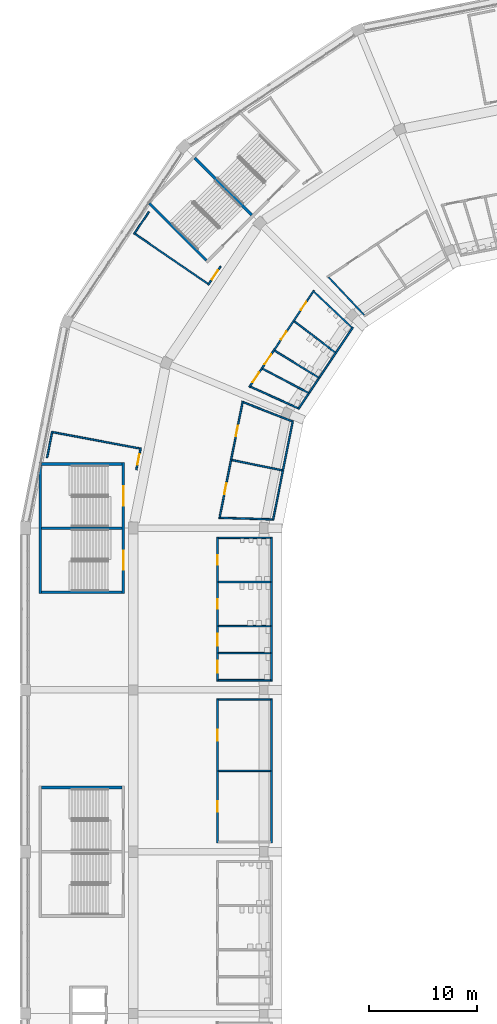
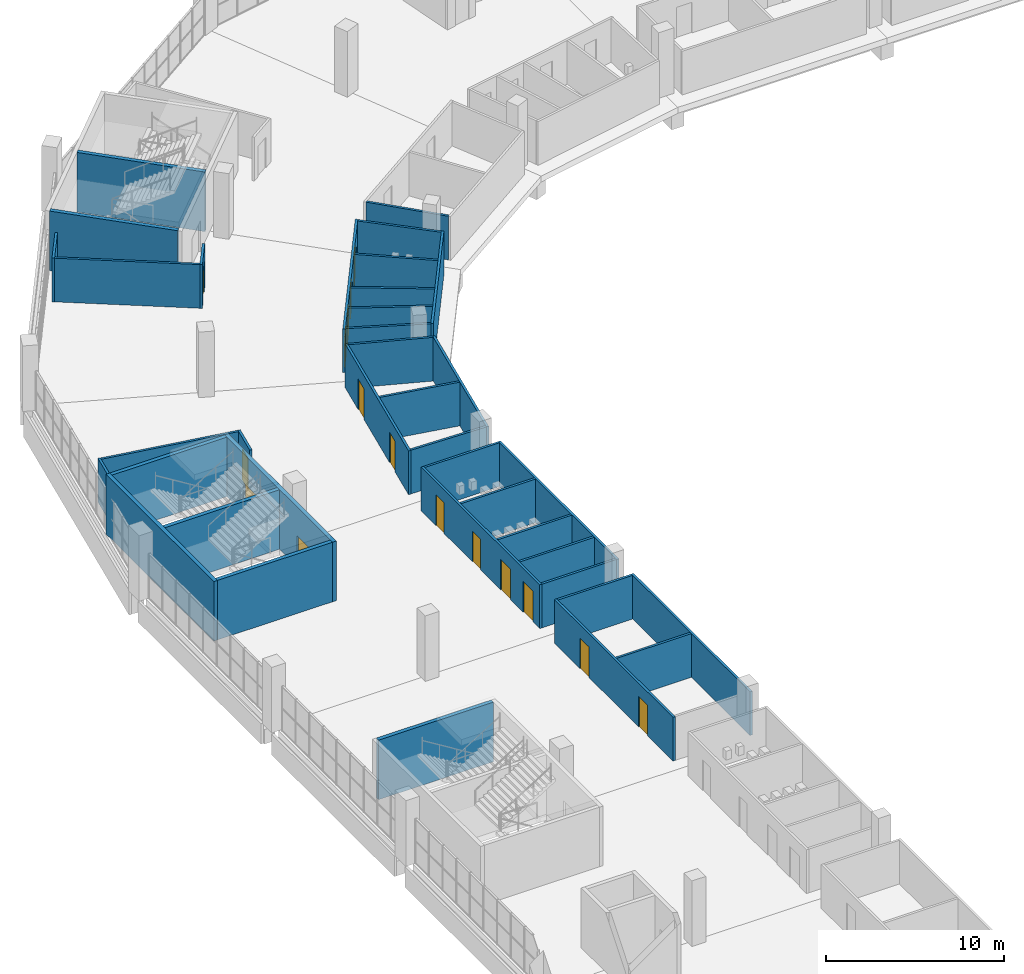
# One storey, part 84 of 199: 38 walls, 16 doors, 16 openings.
"""IFC4 building model written with IfcOpenShell, lengths in metres."""

from ifc_helpers import new_model, si_unit, direction, frame, frame_2d, origin, place, context, subcontext, project, spatial, rectangle, extrude, material, layer, layer_set, type_object, element, fill, save


model = new_model("IFC4")

# Units and contexts
model_context = context("Model", 3, precision=1e-05, world=origin(), true_north=direction((0.0, 1.0)))
body_context = subcontext(model_context, "Body", "Model", "MODEL_VIEW")
ifc_project = project(units=[si_unit("LENGTHUNIT", "METRE"), si_unit("AREAUNIT", "SQUARE_METRE"), si_unit("VOLUMEUNIT", "CUBIC_METRE"), si_unit("PLANEANGLEUNIT", "RADIAN"), si_unit("MASSUNIT", "GRAM", prefix="KILO")], contexts=[model_context])

# Site, building, storey
site_placement = place(None, origin())
site = spatial("IfcSite", under=ifc_project, at=site_placement, CompositionType="ELEMENT")
building_placement = place(site_placement, origin())
building = spatial("IfcBuilding", under=site, at=building_placement, Name="Ogive Plaza Stadium", CompositionType="ELEMENT")
storey_placement = place(building_placement, frame((0.0, 0.0, 4.5)))
storey = spatial("IfcBuildingStorey", under=building, at=storey_placement, Name="L01", CompositionType="ELEMENT", Elevation=4.5)

# Wall
ifc_material_1 = material(Name="Masonry blockwork", Category="masonry")
ifc_layer_1 = layer(ifc_material_1, 0.14990234375)
ifc_layer_set_1 = layer_set([ifc_layer_1], Name="Blockwork wall 150")
wall_type_1 = type_object("IfcWallType", Name="Blockwork wall 150", PredefinedType="SOLIDWALL", material=ifc_layer_set_1)
wall_1_placement = place(storey_placement, frame((-61.199951171875, 23.324951171875, 0.0), z_axis=(0.0, 0.0, 1.0), x_axis=(0.0, 1.0, 0.0)))
element("IfcWall", 1, at=wall_1_placement, inside=storey, type_object=wall_type_1, Name="Wall L01 B26", PredefinedType="SOLIDWALL", context=body_context, shape_type="SweptSolid", body=[
    extrude(rectangle(XDim=13.35009765625, YDim=0.14990234375, at=frame_2d((6.675048828125, 0.0))), origin(), (0.0, 0.0, 1.0), 3.0),
])

# Wall, openings, doors
wall_2_placement = place(storey_placement, frame((-66.199951171875, 23.324951171875, 0.0), z_axis=(0.0, 0.0, 1.0), x_axis=(0.0, 1.0, 0.0)))
wall_2 = element("IfcWall", 2, at=wall_2_placement, inside=storey, type_object=wall_type_1, Name="Wall L01 B26", PredefinedType="SOLIDWALL", context=body_context, shape_type="SweptSolid", body=[
    extrude(rectangle(XDim=13.35009765625, YDim=0.14990234375, at=frame_2d((6.675048828125, 0.0))), origin(), (0.0, 0.0, 1.0), 3.0),
])
opening_1_placement = place(wall_2_placement, frame((2.875, 0.0, 0.0)))
opening_1 = element("IfcOpeningElement", 3, at=opening_1_placement, cuts=wall_2, Name="Opening D0553", PredefinedType="OPENING", context=body_context, shape_type="SweptSolid", body=[
    extrude(rectangle(XDim=1.0, YDim=2.10009765625, at=frame_2d((0.5, 1.050048828125))), frame((0.0, 0.074951171875, 0.0), z_axis=(0.0, -1.0, 0.0), x_axis=(1.0, 0.0, 0.0)), (0.0, 0.0, 1.0), 0.14990234375),
])
opening_2_placement = place(wall_2_placement, frame((9.47509765625, 0.0, 0.0)))
opening_2 = element("IfcOpeningElement", 4, at=opening_2_placement, cuts=wall_2, Name="Opening D0554", PredefinedType="OPENING", context=body_context, shape_type="SweptSolid", body=[
    extrude(rectangle(XDim=1.0, YDim=2.10009765625, at=frame_2d((0.5, 1.050048828125))), frame((0.0, 0.074951171875, 0.0), z_axis=(0.0, -1.0, 0.0), x_axis=(1.0, 0.0, 0.0)), (0.0, 0.0, 1.0), 0.14990234375),
])
ifc_material_2 = material(Name="Steel ASTM A572 Grade 50", Category="steel")
door_type_1 = type_object("IfcDoorType", Name="Door 1000 x 2100", OperationType="SINGLE_SWING_LEFT", PredefinedType="DOOR", material=ifc_material_2)
door_1_placement = place(opening_1_placement, origin())
door_1 = element("IfcDoor", 5, at=door_1_placement, inside=storey, type_object=door_type_1, Name="Club Bar B26 door", OperationType="SINGLE_SWING_RIGHT", OverallHeight=2.10009765625, OverallWidth=1.0, PredefinedType="DOOR", context=body_context, shape_type="SweptSolid", body=[
    extrude(rectangle(XDim=1.0, YDim=2.10009765625, at=frame_2d((0.5, 1.050048828125))), frame((0.0, 0.02490234375, 0.0), z_axis=(0.0, -1.0, 0.0), x_axis=(1.0, 0.0, 0.0)), (0.0, 0.0, 1.0), 0.050048828125),
])
fill(opening_1, door_1)
ifc_material_3 = material(Name="Steel ASTM A572 Grade 50", Category="steel")
door_type_2 = type_object("IfcDoorType", Name="Fire door FD60 1000 x 2100", OperationType="SINGLE_SWING_LEFT", PredefinedType="DOOR", material=ifc_material_3)
door_2_placement = place(opening_2_placement, origin())
door_2 = element("IfcDoor", 6, at=door_2_placement, inside=storey, type_object=door_type_2, Name="Club Kitchen B26 door", OperationType="SINGLE_SWING_LEFT", OverallHeight=2.10009765625, OverallWidth=1.0, PredefinedType="DOOR", context=body_context, shape_type="SweptSolid", body=[
    extrude(rectangle(XDim=1.0, YDim=2.10009765625, at=frame_2d((0.5, 1.050048828125))), frame((0.0, 0.02490234375, 0.0), z_axis=(0.0, -1.0, 0.0), x_axis=(1.0, 0.0, 0.0)), (0.0, 0.0, 1.0), 0.050048828125),
])
fill(opening_2, door_2)

# Walls
for number, where, z_axis, x_axis, name in (
    (7, (-61.27490234375, 30.0, 0.0), (0.0, 0.0, 1.0), (-1.0, 0.0, 0.0), "Wall L01 B26"),
    (8, (-61.27490234375, 36.60009765625, 0.0), (0.0, 0.0, 1.0), (-1.0, 0.0, 0.0), "Wall L01 B26"),
):
    element("IfcWall", number, at=place(storey_placement, frame(where, z_axis=z_axis, x_axis=x_axis)), inside=storey, type_object=wall_type_1, Name=name, PredefinedType="SOLIDWALL", context=body_context, shape_type="SweptSolid", body=[
        extrude(rectangle(XDim=4.85009765625, YDim=0.14990234375, at=frame_2d((2.425048828125, 0.0))), origin(), (0.0, 0.0, 1.0), 3.0),
    ])
wall_3_placement = place(storey_placement, frame((-61.052490234375, 53.240966796875, 0.0), z_axis=(0.0, 0.0, 1.0), x_axis=(0.195075759432, 0.980788176969, 0.0)))
element("IfcWall", 9, at=wall_3_placement, inside=storey, type_object=wall_type_1, Name="Wall L01 B28", PredefinedType="SOLIDWALL", context=body_context, shape_type="SweptSolid", body=[
    extrude(rectangle(XDim=9.3876953125, YDim=0.14990234375, at=frame_2d((4.69384765625, 0.0))), origin(), (0.0, 0.0, 1.0), 3.0),
])

# Wall, openings, doors
wall_4_placement = place(storey_placement, frame((-66.025390625, 53.377197265625, 0.0), z_axis=(0.0, 0.0, 1.0), x_axis=(0.195076764682, 0.980787977027, 0.0)))
wall_4 = element("IfcWall", 10, at=wall_4_placement, inside=storey, type_object=wall_type_1, Name="Wall L01 B28", PredefinedType="SOLIDWALL", context=body_context, shape_type="SweptSolid", body=[
    extrude(rectangle(XDim=11.113525390625, YDim=0.14990234375, at=frame_2d((5.556640625, 0.0))), origin(), (0.0, 0.0, 1.0), 3.0),
])
opening_3_placement = place(wall_4_placement, frame((2.319091796875, 0.0, 0.0)))
opening_3 = element("IfcOpeningElement", 11, at=opening_3_placement, cuts=wall_4, Name="Opening D0559", PredefinedType="OPENING", context=body_context, shape_type="SweptSolid", body=[
    extrude(rectangle(XDim=1.0, YDim=2.10009765625, at=frame_2d((0.5, 1.050048828125))), frame((0.0, 0.074951171875, 0.0), z_axis=(0.0, -1.0, 0.0), x_axis=(1.0, 0.0, 0.0)), (0.0, 0.0, 1.0), 0.14990234375),
])
opening_4_placement = place(wall_4_placement, frame((7.79443359375, 0.0, 0.0)))
opening_4 = element("IfcOpeningElement", 12, at=opening_4_placement, cuts=wall_4, Name="Opening D0560", PredefinedType="OPENING", context=body_context, shape_type="SweptSolid", body=[
    extrude(rectangle(XDim=1.0, YDim=2.10009765625, at=frame_2d((0.5, 1.050048828125))), frame((0.0, 0.074951171875, 0.0), z_axis=(0.0, -1.0, 0.0), x_axis=(1.0, 0.0, 0.0)), (0.0, 0.0, 1.0), 0.14990234375),
])
door_3_placement = place(opening_3_placement, origin())
door_3 = element("IfcDoor", 13, at=door_3_placement, inside=storey, type_object=door_type_1, Name="Club Bar B28 door", OperationType="SINGLE_SWING_LEFT", OverallHeight=2.10009765625, OverallWidth=1.0, PredefinedType="DOOR", context=body_context, shape_type="SweptSolid", body=[
    extrude(rectangle(XDim=1.0, YDim=2.10009765625, at=frame_2d((0.5, 1.050048828125))), frame((0.0, 0.02490234375, 0.0), z_axis=(0.0, -1.0, 0.0), x_axis=(1.0, 0.0, 0.0)), (0.0, 0.0, 1.0), 0.050048828125),
])
fill(opening_3, door_3)
door_4_placement = place(opening_4_placement, origin())
door_4 = element("IfcDoor", 14, at=door_4_placement, inside=storey, type_object=door_type_2, Name="Club Kitchen B28 door", OperationType="SINGLE_SWING_RIGHT", OverallHeight=2.10009765625, OverallWidth=1.0, PredefinedType="DOOR", context=body_context, shape_type="SweptSolid", body=[
    extrude(rectangle(XDim=1.0, YDim=2.10009765625, at=frame_2d((0.5, 1.050048828125))), frame((0.0, 0.02490234375, 0.0), z_axis=(0.0, -1.0, 0.0), x_axis=(1.0, 0.0, 0.0)), (0.0, 0.0, 1.0), 0.050048828125),
])
fill(opening_4, door_4)

# Walls
wall_5_placement = place(storey_placement, frame((-61.11376953125, 53.310546875, 0.0), z_axis=(0.0, 0.0, 1.0), x_axis=(-0.999552485488, 0.02991368842, 0.0)))
element("IfcWall", 15, at=wall_5_placement, inside=storey, type_object=wall_type_1, Name="Wall L01 B28", PredefinedType="SOLIDWALL", context=body_context, shape_type="SweptSolid", body=[
    extrude(rectangle(XDim=4.823486328125, YDim=0.14990234375, at=frame_2d((2.41162109375, 0.0))), origin(), (0.0, 0.0, 1.0), 3.0),
])
wall_6_placement = place(storey_placement, frame((-60.208984375, 57.859375, 0.0), z_axis=(0.0, 0.0, 1.0), x_axis=(-0.979720657149, 0.200368245875, 0.0)))
element("IfcWall", 16, at=wall_6_placement, inside=storey, type_object=wall_type_1, Name="Wall L01 B28", PredefinedType="SOLIDWALL", context=body_context, shape_type="SweptSolid", body=[
    extrude(rectangle(XDim=4.7568359375, YDim=0.14990234375, at=frame_2d((2.37841796875, 0.0))), origin(), (0.0, 0.0, 1.0), 3.0),
])
wall_7_placement = place(storey_placement, frame((-59.30419921875, 62.408203125, 0.0), z_axis=(0.0, 0.0, 1.0), x_axis=(-0.931152553876, 0.364629841634, 0.0)))
element("IfcWall", 17, at=wall_7_placement, inside=storey, type_object=wall_type_1, Name="Wall L01 B28", PredefinedType="SOLIDWALL", context=body_context, shape_type="SweptSolid", body=[
    extrude(rectangle(XDim=4.832275390625, YDim=0.14990234375, at=frame_2d((2.416015625, 0.0))), origin(), (0.0, 0.0, 1.0), 3.0),
])

# Wall, opening, door
wall_8_placement = place(storey_placement, frame((-73.7265625, 57.896240234375, 0.0), z_axis=(0.0, 0.0, 1.0), x_axis=(0.195055250603, 0.980792255889, 0.0)))
wall_8 = element("IfcWall", 18, at=wall_8_placement, inside=storey, type_object=wall_type_1, Name="Wall L01 B28", PredefinedType="SOLIDWALL", context=body_context, shape_type="SweptSolid", body=[
    extrude(rectangle(XDim=2.080322265625, YDim=0.14990234375, at=frame_2d((1.0400390625, 0.0))), origin(), (0.0, 0.0, 1.0), 3.0),
])
opening_5_placement = place(wall_8_placement, frame((0.47216796875, 0.0, 0.0)))
opening_5 = element("IfcOpeningElement", 19, at=opening_5_placement, cuts=wall_8, Name="Opening D0561", PredefinedType="OPENING", context=body_context, shape_type="SweptSolid", body=[
    extrude(rectangle(XDim=1.0, YDim=2.10009765625, at=frame_2d((0.5, 1.050048828125))), frame((0.0, 0.074951171875, 0.0), z_axis=(0.0, -1.0, 0.0), x_axis=(1.0, 0.0, 0.0)), (0.0, 0.0, 1.0), 0.14990234375),
])
door_5_placement = place(opening_5_placement, origin())
door_5 = element("IfcDoor", 20, at=door_5_placement, inside=storey, type_object=door_type_2, Name="Cleaner's Store B28 door", OperationType="SINGLE_SWING_LEFT", OverallHeight=2.10009765625, OverallWidth=1.0, PredefinedType="DOOR", context=body_context, shape_type="SweptSolid", body=[
    extrude(rectangle(XDim=1.0, YDim=2.10009765625, at=frame_2d((0.5, 1.050048828125))), frame((0.0, 0.02490234375, 0.0), z_axis=(0.0, -1.0, 0.0), x_axis=(1.0, 0.0, 0.0)), (0.0, 0.0, 1.0), 0.050048828125),
])
fill(opening_5, door_5)

# Walls
wall_9_placement = place(storey_placement, frame((-82.0029296875, 59.020263671875, 0.0), z_axis=(0.0, 0.0, 1.0), x_axis=(0.195032666665, 0.980796747004, 0.0)))
element("IfcWall", 21, at=wall_9_placement, inside=storey, type_object=wall_type_1, Name="Wall L01 B28", PredefinedType="SOLIDWALL", context=body_context, shape_type="SweptSolid", body=[
    extrude(rectangle(XDim=2.513671875, YDim=0.14990234375, at=frame_2d((1.2568359375, 0.0))), origin(), (0.0, 0.0, 1.0), 3.0),
])
wall_10_placement = place(storey_placement, frame((-73.40625, 59.88330078125, 0.0), z_axis=(0.0, 0.0, 1.0), x_axis=(-0.982896138411, 0.184160747979, 0.0)))
element("IfcWall", 22, at=wall_10_placement, inside=storey, type_object=wall_type_1, Name="Wall L01 B28", PredefinedType="SOLIDWALL", context=body_context, shape_type="SweptSolid", body=[
    extrude(rectangle(XDim=8.190185546875, YDim=0.14990234375, at=frame_2d((4.09521484375, 0.0))), origin(), (0.0, 0.0, 1.0), 3.0),
])

# Wall, opening, door
wall_11_placement = place(storey_placement, frame((-65.90673828125, 76.775390625, 0.0), z_axis=(0.0, 0.0, 1.0), x_axis=(-0.555485387307, -0.831526298134, 0.0)))
wall_11 = element("IfcWall", 23, at=wall_11_placement, inside=storey, type_object=wall_type_1, Name="Wall L01 B29", PredefinedType="SOLIDWALL", context=body_context, shape_type="SweptSolid", body=[
    extrude(rectangle(XDim=2.080078125, YDim=0.14990234375, at=frame_2d((1.0400390625, 0.0))), origin(), (0.0, 0.0, 1.0), 3.0),
])
opening_6_placement = place(wall_11_placement, frame((0.47216796875, 0.0, 0.0)))
opening_6 = element("IfcOpeningElement", 24, at=opening_6_placement, cuts=wall_11, Name="Opening D0566", PredefinedType="OPENING", context=body_context, shape_type="SweptSolid", body=[
    extrude(rectangle(XDim=1.0, YDim=2.10009765625, at=frame_2d((0.5, 1.050048828125))), frame((0.0, 0.074951171875, 0.0), z_axis=(0.0, -1.0, 0.0), x_axis=(1.0, 0.0, 0.0)), (0.0, 0.0, 1.0), 0.14990234375),
])
door_6_placement = place(opening_6_placement, origin())
door_6 = element("IfcDoor", 25, at=door_6_placement, inside=storey, type_object=door_type_1, Name="Club Servery B29 door", OperationType="SINGLE_SWING_LEFT", OverallHeight=2.10009765625, OverallWidth=1.0, PredefinedType="DOOR", context=body_context, shape_type="SweptSolid", body=[
    extrude(rectangle(XDim=1.0, YDim=2.10009765625, at=frame_2d((0.5, 1.050048828125))), frame((0.0, 0.02490234375, 0.0), z_axis=(0.0, -1.0, 0.0), x_axis=(1.0, 0.0, 0.0)), (0.0, 0.0, 1.0), 0.050048828125),
])
fill(opening_6, door_6)

# Walls
wall_12_placement = place(storey_placement, frame((-72.553955078125, 81.832763671875, 0.0), z_axis=(0.0, 0.0, 1.0), x_axis=(-0.555551611961, -0.831482054195, 0.0)))
element("IfcWall", 26, at=wall_12_placement, inside=storey, type_object=wall_type_1, Name="Wall L01 B29", PredefinedType="SOLIDWALL", context=body_context, shape_type="SweptSolid", body=[
    extrude(rectangle(XDim=2.513671875, YDim=0.14990234375, at=frame_2d((1.2568359375, 0.0))), origin(), (0.0, 0.0, 1.0), 3.0),
])
wall_13_placement = place(storey_placement, frame((-67.08544921875, 75.143798828125, 0.0), z_axis=(0.0, 0.0, 1.0), x_axis=(-0.825237791444, 0.564785434986, 0.0)))
element("IfcWall", 27, at=wall_13_placement, inside=storey, type_object=wall_type_1, Name="Wall L01 B29", PredefinedType="SOLIDWALL", context=body_context, shape_type="SweptSolid", body=[
    extrude(rectangle(XDim=8.189697265625, YDim=0.14990234375, at=frame_2d((4.0947265625, 0.0))), origin(), (0.0, 0.0, 1.0), 3.0),
])
wall_14_placement = place(storey_placement, frame((-52.59912109375, 72.24560546875, 0.0), z_axis=(0.0, 0.0, 1.0), x_axis=(-0.685685134118, 0.727898273696, 0.0)))
element("IfcWall", 28, at=wall_14_placement, inside=storey, type_object=wall_type_1, Name="Wall L01 B30", PredefinedType="SOLIDWALL", context=body_context, shape_type="SweptSolid", body=[
    extrude(rectangle(XDim=4.823486328125, YDim=0.14990234375, at=frame_2d((2.41162109375, 0.0))), origin(), (0.0, 0.0, 1.0), 3.0),
])
ifc_material_4 = material(Name="Concrete C40/50", Category="concrete")
ifc_layer_2 = layer(ifc_material_4, 0.25)
ifc_layer_set_2 = layer_set([ifc_layer_2], Name="Concrete C40/50")
wall_type_2 = type_object("IfcWallType", Name="Core wall 250", PredefinedType="SHEAR", material=ifc_layer_set_2)
wall_15_placement = place(storey_placement, frame((-75.050048828125, 28.449951171875, 0.0), z_axis=(0.0, 0.0, 1.0), x_axis=(-1.0, 0.0, 0.0)))
element("IfcWall", 29, at=wall_15_placement, inside=storey, type_object=wall_type_2, Name="Stair core R26 side wall", PredefinedType="SHEAR", context=body_context, shape_type="SweptSolid", body=[
    extrude(rectangle(XDim=7.4599609375, YDim=0.25, at=frame_2d((3.72998046875, 0.0))), origin(), (0.0, 0.0, 1.0), 4.090087890625),
])

# Wall, openings, doors
wall_16_placement = place(storey_placement, frame((-74.925048828125, 58.574951171875, 0.0), z_axis=(0.0, 0.0, 1.0), x_axis=(0.0, -1.0, 0.0)))
wall_16 = element("IfcWall", 30, at=wall_16_placement, inside=storey, type_object=wall_type_2, Name="Stair core R28 inner wall", PredefinedType="SHEAR", context=body_context, shape_type="SweptSolid", body=[
    extrude(rectangle(XDim=12.14990234375, YDim=0.25, at=frame_2d((6.074951171875, 0.0))), origin(), (0.0, 0.0, 1.0), 4.090087890625),
])
opening_7_placement = place(wall_16_placement, frame((2.199951171875, 0.0, 0.0)))
opening_7 = element("IfcOpeningElement", 31, at=opening_7_placement, cuts=wall_16, Name="Opening D0211", PredefinedType="OPENING", context=body_context, shape_type="SweptSolid", body=[
    extrude(rectangle(XDim=1.800048828125, YDim=2.10009765625, at=frame_2d((0.89990234375, 1.050048828125))), frame((0.0, 0.125, 0.0), z_axis=(0.0, -1.0, 0.0), x_axis=(1.0, 0.0, 0.0)), (0.0, 0.0, 1.0), 0.25),
])
opening_8_placement = place(wall_16_placement, frame((8.14990234375, 0.0, 0.0)))
opening_8 = element("IfcOpeningElement", 32, at=opening_8_placement, cuts=wall_16, Name="Opening D0212", PredefinedType="OPENING", context=body_context, shape_type="SweptSolid", body=[
    extrude(rectangle(XDim=1.800048828125, YDim=2.10009765625, at=frame_2d((0.89990234375, 1.050048828125))), frame((0.0, 0.125, 0.0), z_axis=(0.0, -1.0, 0.0), x_axis=(1.0, 0.0, 0.0)), (0.0, 0.0, 1.0), 0.25),
])
ifc_material_5 = material(Name="Steel ASTM A572 Grade 50", Category="steel")
door_type_3 = type_object("IfcDoorType", Name="Fire door FD90 pair 1800 x 2100", OperationType="DOUBLE_DOOR_SINGLE_SWING", PredefinedType="DOOR", material=ifc_material_5)
door_7_placement = place(opening_7_placement, origin())
door_7 = element("IfcDoor", 33, at=door_7_placement, inside=storey, type_object=door_type_3, Name="Exit stair R28A door L01", OperationType="DOUBLE_DOOR_SINGLE_SWING", OverallHeight=2.10009765625, OverallWidth=1.800048828125, PredefinedType="DOOR", context=body_context, shape_type="SweptSolid", body=[
    extrude(rectangle(XDim=1.800048828125, YDim=2.10009765625, at=frame_2d((0.89990234375, 1.050048828125))), frame((0.0, 0.02490234375, 0.0), z_axis=(0.0, -1.0, 0.0), x_axis=(1.0, 0.0, 0.0)), (0.0, 0.0, 1.0), 0.050048828125),
])
fill(opening_7, door_7)
door_8_placement = place(opening_8_placement, origin())
door_8 = element("IfcDoor", 34, at=door_8_placement, inside=storey, type_object=door_type_3, Name="Exit stair R28B door L01", OperationType="DOUBLE_DOOR_SINGLE_SWING", OverallHeight=2.10009765625, OverallWidth=1.800048828125, PredefinedType="DOOR", context=body_context, shape_type="SweptSolid", body=[
    extrude(rectangle(XDim=1.800048828125, YDim=2.10009765625, at=frame_2d((0.89990234375, 1.050048828125))), frame((0.0, 0.02490234375, 0.0), z_axis=(0.0, -1.0, 0.0), x_axis=(1.0, 0.0, 0.0)), (0.0, 0.0, 1.0), 0.050048828125),
])
fill(opening_8, door_8)

# Walls
wall_17_placement = place(storey_placement, frame((-82.635009765625, 58.574951171875, 0.0), z_axis=(0.0, 0.0, 1.0), x_axis=(0.0, -1.0, 0.0)))
element("IfcWall", 35, at=wall_17_placement, inside=storey, type_object=wall_type_2, Name="Stair core R28 outer wall", PredefinedType="SHEAR", context=body_context, shape_type="SweptSolid", body=[
    extrude(rectangle(XDim=12.14990234375, YDim=0.25, at=frame_2d((6.074951171875, 0.0))), origin(), (0.0, 0.0, 1.0), 4.090087890625),
])
for number, where, z_axis, x_axis, name in (
    (36, (-75.050048828125, 58.449951171875, 0.0), (0.0, 0.0, 1.0), (-1.0, 0.0, 0.0), "Stair core R28 side wall"),
    (37, (-75.050048828125, 46.550048828125, 0.0), (0.0, 0.0, 1.0), (-1.0, 0.0, 0.0), "Stair core R28 side wall"),
    (38, (-75.050048828125, 52.5, 0.0), (0.0, 0.0, 1.0), (-1.0, 0.0, 0.0), "Stair core R28 centre wall"),
    (39, (-67.234130859375, 77.3193359375, 0.0), (0.0, 0.0, 1.0), (-0.707090417709, 0.707123144286, 0.0), "Stair core R30 side wall"),
):
    element("IfcWall", number, at=place(storey_placement, frame(where, z_axis=z_axis, x_axis=x_axis)), inside=storey, type_object=wall_type_2, Name=name, PredefinedType="SHEAR", context=body_context, shape_type="SweptSolid", body=[
        extrude(rectangle(XDim=7.4599609375, YDim=0.25, at=frame_2d((3.72998046875, 0.0))), origin(), (0.0, 0.0, 1.0), 4.090087890625),
    ])
wall_18_placement = place(storey_placement, frame((-63.026611328125, 81.526611328125, 0.0), z_axis=(0.0, 0.0, 1.0), x_axis=(-0.707106781187, 0.707106781187, 0.0)))
element("IfcWall", 40, at=wall_18_placement, inside=storey, type_object=wall_type_2, Name="Stair core R30 centre wall", PredefinedType="SHEAR", context=body_context, shape_type="SweptSolid", body=[
    extrude(rectangle(XDim=7.460205078125, YDim=0.25, at=frame_2d((3.72998046875, 0.0))), origin(), (0.0, 0.0, 1.0), 4.090087890625),
])
ifc_material_6 = material(Name="Gypsum board partition", Category="gypsum")
ifc_layer_3 = layer(ifc_material_6, 0.14990234375)
ifc_layer_set_3 = layer_set([ifc_layer_3], Name="Partition 150")
wall_type_3 = type_object("IfcWallType", Name="Partition 150", PredefinedType="PARTITIONING", material=ifc_layer_set_3)
wall_19_placement = place(storey_placement, frame((-61.199951171875, 51.675048828125, 0.0), z_axis=(0.0, 0.0, 1.0), x_axis=(0.0, -1.0, 0.0)))
element("IfcWall", 41, at=wall_19_placement, inside=storey, type_object=wall_type_3, Name="Wall L01 B27", PredefinedType="PARTITIONING", context=body_context, shape_type="SweptSolid", body=[
    extrude(rectangle(XDim=13.35009765625, YDim=0.14990234375, at=frame_2d((6.675048828125, 0.0))), origin(), (0.0, 0.0, 1.0), 3.0),
])

# Wall, openings, doors
wall_20_placement = place(storey_placement, frame((-66.199951171875, 51.675048828125, 0.0), z_axis=(0.0, 0.0, 1.0), x_axis=(0.0, -1.0, 0.0)))
wall_20 = element("IfcWall", 42, at=wall_20_placement, inside=storey, type_object=wall_type_3, Name="Wall L01 B27", PredefinedType="PARTITIONING", context=body_context, shape_type="SweptSolid", body=[
    extrude(rectangle(XDim=13.35009765625, YDim=0.14990234375, at=frame_2d((6.675048828125, 0.0))), origin(), (0.0, 0.0, 1.0), 3.0),
])
opening_9_placement = place(wall_20_placement, frame((1.6708984375, 0.0, 0.0)))
opening_9 = element("IfcOpeningElement", 43, at=opening_9_placement, cuts=wall_20, Name="Opening D0555", PredefinedType="OPENING", context=body_context, shape_type="SweptSolid", body=[
    extrude(rectangle(XDim=0.89990234375, YDim=2.10009765625, at=frame_2d((0.449951171875, 1.050048828125))), frame((0.0, 0.074951171875, 0.0), z_axis=(0.0, -1.0, 0.0), x_axis=(1.0, 0.0, 0.0)), (0.0, 0.0, 1.0), 0.14990234375),
])
opening_10_placement = place(wall_20_placement, frame((5.762939453125, 0.0, 0.0)))
opening_10 = element("IfcOpeningElement", 44, at=opening_10_placement, cuts=wall_20, Name="Opening D0556", PredefinedType="OPENING", context=body_context, shape_type="SweptSolid", body=[
    extrude(rectangle(XDim=0.89990234375, YDim=2.10009765625, at=frame_2d((0.449951171875, 1.050048828125))), frame((0.0, 0.074951171875, 0.0), z_axis=(0.0, -1.0, 0.0), x_axis=(1.0, 0.0, 0.0)), (0.0, 0.0, 1.0), 0.14990234375),
])
opening_11_placement = place(wall_20_placement, frame((8.962890625, 0.0, 0.0)))
opening_11 = element("IfcOpeningElement", 45, at=opening_11_placement, cuts=wall_20, Name="Opening D0557", PredefinedType="OPENING", context=body_context, shape_type="SweptSolid", body=[
    extrude(rectangle(XDim=1.10009765625, YDim=2.10009765625, at=frame_2d((0.550048828125, 1.050048828125))), frame((0.0, 0.074951171875, 0.0), z_axis=(0.0, -1.0, 0.0), x_axis=(1.0, 0.0, 0.0)), (0.0, 0.0, 1.0), 0.14990234375),
])
opening_12_placement = place(wall_20_placement, frame((11.470947265625, 0.0, 0.0)))
opening_12 = element("IfcOpeningElement", 46, at=opening_12_placement, cuts=wall_20, Name="Opening D0558", PredefinedType="OPENING", context=body_context, shape_type="SweptSolid", body=[
    extrude(rectangle(XDim=1.10009765625, YDim=2.10009765625, at=frame_2d((0.550048828125, 1.050048828125))), frame((0.0, 0.074951171875, 0.0), z_axis=(0.0, -1.0, 0.0), x_axis=(1.0, 0.0, 0.0)), (0.0, 0.0, 1.0), 0.14990234375),
])
ifc_material_7 = material(Name="Steel ASTM A572 Grade 50", Category="steel")
door_type_4 = type_object("IfcDoorType", Name="Accessible door 1100 x 2100", OperationType="SINGLE_SWING_LEFT", PredefinedType="DOOR", material=ifc_material_7)
door_9_placement = place(opening_11_placement, origin())
door_9 = element("IfcDoor", 47, at=door_9_placement, inside=storey, type_object=door_type_4, Name="Accessible WC B27 door", OperationType="SINGLE_SWING_LEFT", OverallHeight=2.10009765625, OverallWidth=1.10009765625, PredefinedType="DOOR", context=body_context, shape_type="SweptSolid", body=[
    extrude(rectangle(XDim=1.10009765625, YDim=2.10009765625, at=frame_2d((0.550048828125, 1.050048828125))), frame((0.0, 0.02490234375, 0.0), z_axis=(0.0, -1.0, 0.0), x_axis=(1.0, 0.0, 0.0)), (0.0, 0.0, 1.0), 0.050048828125),
])
fill(opening_11, door_9)
door_10_placement = place(opening_12_placement, origin())
door_10 = element("IfcDoor", 48, at=door_10_placement, inside=storey, type_object=door_type_4, Name="Family WC B27 door", OperationType="SINGLE_SWING_RIGHT", OverallHeight=2.10009765625, OverallWidth=1.10009765625, PredefinedType="DOOR", context=body_context, shape_type="SweptSolid", body=[
    extrude(rectangle(XDim=1.10009765625, YDim=2.10009765625, at=frame_2d((0.550048828125, 1.050048828125))), frame((0.0, 0.02490234375, 0.0), z_axis=(0.0, -1.0, 0.0), x_axis=(1.0, 0.0, 0.0)), (0.0, 0.0, 1.0), 0.050048828125),
])
fill(opening_12, door_10)
ifc_material_8 = material(Name="Steel ASTM A572 Grade 50", Category="steel")
door_type_5 = type_object("IfcDoorType", Name="Door 900 x 2100", OperationType="SINGLE_SWING_LEFT", PredefinedType="DOOR", material=ifc_material_8)
door_11_placement = place(opening_9_placement, origin())
door_11 = element("IfcDoor", 49, at=door_11_placement, inside=storey, type_object=door_type_5, Name="Men's Toilet B27 door", OperationType="SINGLE_SWING_LEFT", OverallHeight=2.10009765625, OverallWidth=0.89990234375, PredefinedType="DOOR", context=body_context, shape_type="SweptSolid", body=[
    extrude(rectangle(XDim=0.89990234375, YDim=2.10009765625, at=frame_2d((0.449951171875, 1.050048828125))), frame((0.0, 0.02490234375, 0.0), z_axis=(0.0, -1.0, 0.0), x_axis=(1.0, 0.0, 0.0)), (0.0, 0.0, 1.0), 0.050048828125),
])
fill(opening_9, door_11)
door_12_placement = place(opening_10_placement, origin())
door_12 = element("IfcDoor", 50, at=door_12_placement, inside=storey, type_object=door_type_5, Name="Women's Toilet B27 door", OperationType="SINGLE_SWING_RIGHT", OverallHeight=2.10009765625, OverallWidth=0.89990234375, PredefinedType="DOOR", context=body_context, shape_type="SweptSolid", body=[
    extrude(rectangle(XDim=0.89990234375, YDim=2.10009765625, at=frame_2d((0.449951171875, 1.050048828125))), frame((0.0, 0.02490234375, 0.0), z_axis=(0.0, -1.0, 0.0), x_axis=(1.0, 0.0, 0.0)), (0.0, 0.0, 1.0), 0.050048828125),
])
fill(opening_10, door_12)

# Walls
for number, where, z_axis, x_axis, name in (
    (51, (-61.27490234375, 51.60009765625, 0.0), (0.0, 0.0, 1.0), (-1.0, 0.0, 0.0), "Wall L01 B27"),
    (52, (-61.27490234375, 47.508056640625, 0.0), (0.0, 0.0, 1.0), (-1.0, 0.0, 0.0), "Wall L01 B27"),
    (53, (-61.27490234375, 43.416015625, 0.0), (0.0, 0.0, 1.0), (-1.0, 0.0, 0.0), "Wall L01 B27"),
    (54, (-61.27490234375, 40.907958984375, 0.0), (0.0, 0.0, 1.0), (-1.0, 0.0, 0.0), "Wall L01 B27"),
    (55, (-61.27490234375, 38.39990234375, 0.0), (0.0, 0.0, 1.0), (-1.0, 0.0, 0.0), "Wall L01 B27"),
):
    element("IfcWall", number, at=place(storey_placement, frame(where, z_axis=z_axis, x_axis=x_axis)), inside=storey, type_object=wall_type_3, Name=name, PredefinedType="PARTITIONING", context=body_context, shape_type="SweptSolid", body=[
        extrude(rectangle(XDim=4.85009765625, YDim=0.14990234375, at=frame_2d((2.425048828125, 0.0))), origin(), (0.0, 0.0, 1.0), 3.0),
    ])
wall_21_placement = place(storey_placement, frame((-53.653076171875, 71.10498046875, 0.0), z_axis=(0.0, 0.0, 1.0), x_axis=(-0.555566497886, -0.831472108027, 0.0)))
element("IfcWall", 56, at=wall_21_placement, inside=storey, type_object=wall_type_3, Name="Wall L01 B29", PredefinedType="PARTITIONING", context=body_context, shape_type="SweptSolid", body=[
    extrude(rectangle(XDim=9.101806640625, YDim=0.14990234375, at=frame_2d((4.55078125, 0.0))), origin(), (0.0, 0.0, 1.0), 3.0),
])

# Wall, openings, doors
wall_22_placement = place(storey_placement, frame((-57.265869140625, 74.525146484375, 0.0), z_axis=(0.0, 0.0, 1.0), x_axis=(-0.555562662276, -0.831474670862, 0.0)))
wall_22 = element("IfcWall", 57, at=wall_22_placement, inside=storey, type_object=wall_type_3, Name="Wall L01 B29", PredefinedType="PARTITIONING", context=body_context, shape_type="SweptSolid", body=[
    extrude(rectangle(XDim=10.77490234375, YDim=0.14990234375, at=frame_2d((5.387451171875, 0.0))), origin(), (0.0, 0.0, 1.0), 3.0),
])
opening_13_placement = place(wall_22_placement, frame((1.276123046875, 0.0, 0.0)))
opening_13 = element("IfcOpeningElement", 58, at=opening_13_placement, cuts=wall_22, Name="Opening D0562", PredefinedType="OPENING", context=body_context, shape_type="SweptSolid", body=[
    extrude(rectangle(XDim=0.89990234375, YDim=2.10009765625, at=frame_2d((0.449951171875, 1.050048828125))), frame((0.0, 0.074951171875, 0.0), z_axis=(0.0, -1.0, 0.0), x_axis=(1.0, 0.0, 0.0)), (0.0, 0.0, 1.0), 0.14990234375),
])
opening_14_placement = place(wall_22_placement, frame((4.56591796875, 0.0, 0.0)))
opening_14 = element("IfcOpeningElement", 59, at=opening_14_placement, cuts=wall_22, Name="Opening D0563", PredefinedType="OPENING", context=body_context, shape_type="SweptSolid", body=[
    extrude(rectangle(XDim=0.89990234375, YDim=2.10009765625, at=frame_2d((0.449951171875, 1.050048828125))), frame((0.0, 0.074951171875, 0.0), z_axis=(0.0, -1.0, 0.0), x_axis=(1.0, 0.0, 0.0)), (0.0, 0.0, 1.0), 0.14990234375),
])
opening_15_placement = place(wall_22_placement, frame((7.119140625, 0.0, 0.0)))
opening_15 = element("IfcOpeningElement", 60, at=opening_15_placement, cuts=wall_22, Name="Opening D0564", PredefinedType="OPENING", context=body_context, shape_type="SweptSolid", body=[
    extrude(rectangle(XDim=1.10009765625, YDim=2.10009765625, at=frame_2d((0.550048828125, 1.050048828125))), frame((0.0, 0.074951171875, 0.0), z_axis=(0.0, -1.0, 0.0), x_axis=(1.0, 0.0, 0.0)), (0.0, 0.0, 1.0), 0.14990234375),
])
opening_16_placement = place(wall_22_placement, frame((9.135498046875, 0.0, 0.0)))
opening_16 = element("IfcOpeningElement", 61, at=opening_16_placement, cuts=wall_22, Name="Opening D0565", PredefinedType="OPENING", context=body_context, shape_type="SweptSolid", body=[
    extrude(rectangle(XDim=1.10009765625, YDim=2.10009765625, at=frame_2d((0.550048828125, 1.050048828125))), frame((0.0, 0.074951171875, 0.0), z_axis=(0.0, -1.0, 0.0), x_axis=(1.0, 0.0, 0.0)), (0.0, 0.0, 1.0), 0.14990234375),
])
door_13_placement = place(opening_15_placement, origin())
door_13 = element("IfcDoor", 62, at=door_13_placement, inside=storey, type_object=door_type_4, Name="Accessible WC B29 door", OperationType="SINGLE_SWING_LEFT", OverallHeight=2.10009765625, OverallWidth=1.10009765625, PredefinedType="DOOR", context=body_context, shape_type="SweptSolid", body=[
    extrude(rectangle(XDim=1.10009765625, YDim=2.10009765625, at=frame_2d((0.550048828125, 1.050048828125))), frame((0.0, 0.02490234375, 0.0), z_axis=(0.0, -1.0, 0.0), x_axis=(1.0, 0.0, 0.0)), (0.0, 0.0, 1.0), 0.050048828125),
])
fill(opening_15, door_13)
door_14_placement = place(opening_16_placement, origin())
door_14 = element("IfcDoor", 63, at=door_14_placement, inside=storey, type_object=door_type_4, Name="Family WC B29 door", OperationType="SINGLE_SWING_LEFT", OverallHeight=2.10009765625, OverallWidth=1.10009765625, PredefinedType="DOOR", context=body_context, shape_type="SweptSolid", body=[
    extrude(rectangle(XDim=1.10009765625, YDim=2.10009765625, at=frame_2d((0.550048828125, 1.050048828125))), frame((0.0, 0.02490234375, 0.0), z_axis=(0.0, -1.0, 0.0), x_axis=(1.0, 0.0, 0.0)), (0.0, 0.0, 1.0), 0.050048828125),
])
fill(opening_16, door_14)
door_15_placement = place(opening_13_placement, origin())
door_15 = element("IfcDoor", 64, at=door_15_placement, inside=storey, type_object=door_type_5, Name="Men's Toilet B29 door", OperationType="SINGLE_SWING_RIGHT", OverallHeight=2.10009765625, OverallWidth=0.89990234375, PredefinedType="DOOR", context=body_context, shape_type="SweptSolid", body=[
    extrude(rectangle(XDim=0.89990234375, YDim=2.10009765625, at=frame_2d((0.449951171875, 1.050048828125))), frame((0.0, 0.02490234375, 0.0), z_axis=(0.0, -1.0, 0.0), x_axis=(1.0, 0.0, 0.0)), (0.0, 0.0, 1.0), 0.050048828125),
])
fill(opening_13, door_15)
door_16_placement = place(opening_14_placement, origin())
door_16 = element("IfcDoor", 65, at=door_16_placement, inside=storey, type_object=door_type_5, Name="Women's Toilet B29 door", OperationType="SINGLE_SWING_LEFT", OverallHeight=2.10009765625, OverallWidth=0.89990234375, PredefinedType="DOOR", context=body_context, shape_type="SweptSolid", body=[
    extrude(rectangle(XDim=0.89990234375, YDim=2.10009765625, at=frame_2d((0.449951171875, 1.050048828125))), frame((0.0, 0.02490234375, 0.0), z_axis=(0.0, -1.0, 0.0), x_axis=(1.0, 0.0, 0.0)), (0.0, 0.0, 1.0), 0.050048828125),
])
fill(opening_14, door_16)

# Walls
wall_23_placement = place(storey_placement, frame((-53.74560546875, 71.09912109375, 0.0), z_axis=(0.0, 0.0, 1.0), x_axis=(-0.727898273696, 0.685685134118, 0.0)))
element("IfcWall", 66, at=wall_23_placement, inside=storey, type_object=wall_type_3, Name="Wall L01 B29", PredefinedType="PARTITIONING", context=body_context, shape_type="SweptSolid", body=[
    extrude(rectangle(XDim=4.823486328125, YDim=0.14990234375, at=frame_2d((2.41162109375, 0.0))), origin(), (0.0, 0.0, 1.0), 3.0),
])
wall_24_placement = place(storey_placement, frame((-55.293701171875, 68.7822265625, 0.0), z_axis=(0.0, 0.0, 1.0), x_axis=(-0.794378186515, 0.607423490482, 0.0)))
element("IfcWall", 67, at=wall_24_placement, inside=storey, type_object=wall_type_3, Name="Wall L01 B29", PredefinedType="PARTITIONING", context=body_context, shape_type="SweptSolid", body=[
    extrude(rectangle(XDim=4.766357421875, YDim=0.14990234375, at=frame_2d((2.38330078125, 0.0))), origin(), (0.0, 0.0, 1.0), 3.0),
])
wall_25_placement = place(storey_placement, frame((-56.841796875, 66.465087890625, 0.0), z_axis=(0.0, 0.0, 1.0), x_axis=(-0.853168994556, 0.521634610364, 0.0)))
element("IfcWall", 68, at=wall_25_placement, inside=storey, type_object=wall_type_3, Name="Wall L01 B29", PredefinedType="PARTITIONING", context=body_context, shape_type="SweptSolid", body=[
    extrude(rectangle(XDim=4.7607421875, YDim=0.14990234375, at=frame_2d((2.38037109375, 0.0))), origin(), (0.0, 0.0, 1.0), 3.0),
])
wall_26_placement = place(storey_placement, frame((-57.790771484375, 65.044921875, 0.0), z_axis=(0.0, 0.0, 1.0), x_axis=(-0.884560293024, 0.466425865498, 0.0)))
element("IfcWall", 69, at=wall_26_placement, inside=storey, type_object=wall_type_3, Name="Wall L01 B29", PredefinedType="PARTITIONING", context=body_context, shape_type="SweptSolid", body=[
    extrude(rectangle(XDim=4.782470703125, YDim=0.14990234375, at=frame_2d((2.39111328125, 0.0))), origin(), (0.0, 0.0, 1.0), 3.0),
])
wall_27_placement = place(storey_placement, frame((-58.73974609375, 63.625, 0.0), z_axis=(0.0, 0.0, 1.0), x_axis=(-0.912037017215, 0.410107887306, 0.0)))
element("IfcWall", 70, at=wall_27_placement, inside=storey, type_object=wall_type_3, Name="Wall L01 B29", PredefinedType="PARTITIONING", context=body_context, shape_type="SweptSolid", body=[
    extrude(rectangle(XDim=4.8232421875, YDim=0.14990234375, at=frame_2d((2.41162109375, 0.0))), origin(), (0.0, 0.0, 1.0), 3.0),
])

save(model, "model.ifc")
